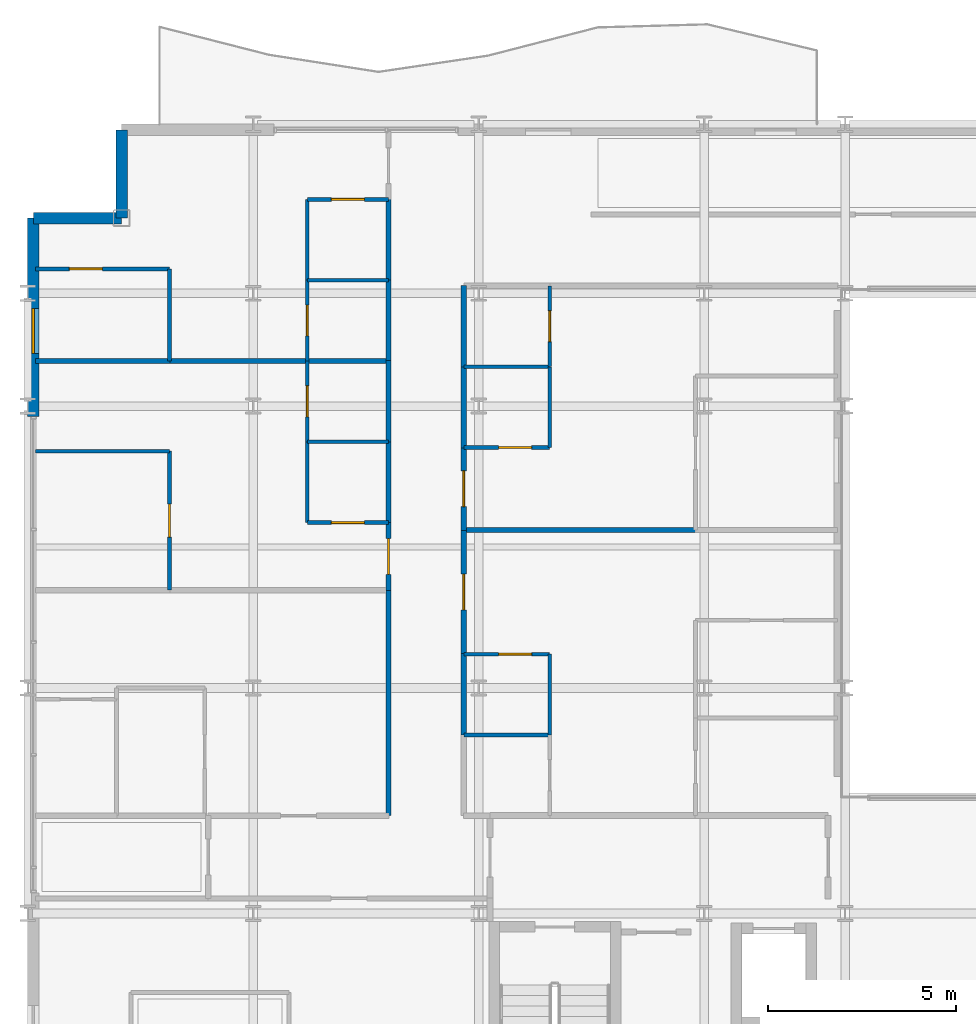
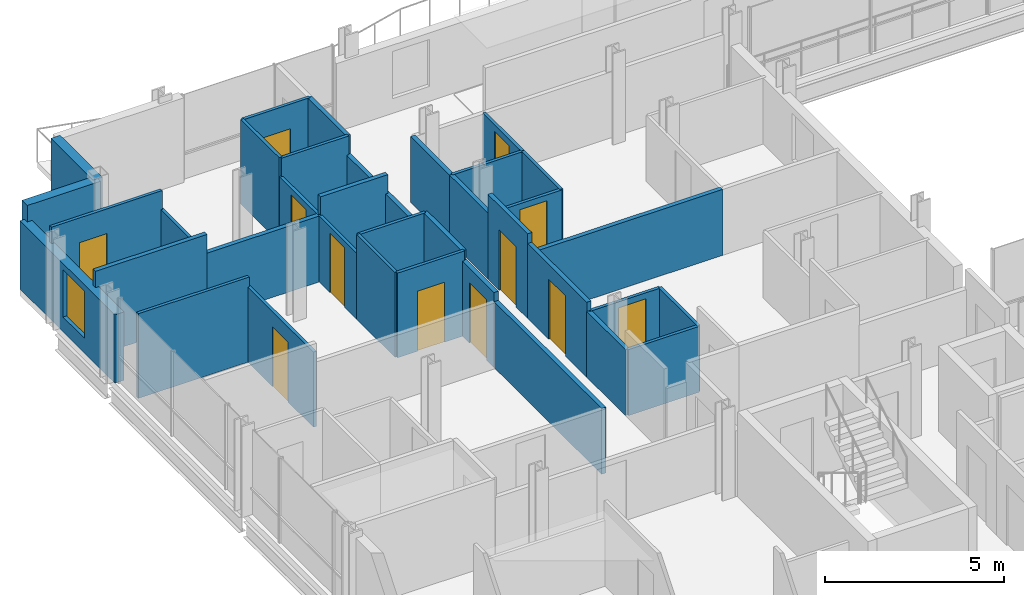
# One storey, part 33 of 41: 37 walls, 12 doors, 1 window, 13 openings.
"""IFC4 building model written with IfcOpenShell, lengths in metres."""

from ifc_helpers import new_model, si_unit, direction, frame, frame_2d, origin, place, context, subcontext, project, spatial, rectangle, extrude, material, layer, layer_set, type_object, element, fill, save


model = new_model("IFC4")

# Units and contexts
model_context = context("Model", 3, precision=1e-05, world=origin(), true_north=direction((0.0, 1.0)))
body_context = subcontext(model_context, "Body", "Model", "MODEL_VIEW")
ifc_project = project(units=[si_unit("LENGTHUNIT", "METRE"), si_unit("AREAUNIT", "SQUARE_METRE"), si_unit("VOLUMEUNIT", "CUBIC_METRE"), si_unit("PLANEANGLEUNIT", "RADIAN"), si_unit("MASSUNIT", "GRAM", prefix="KILO")], contexts=[model_context])

# Site, building, storey
site_placement = place(None, origin())
site = spatial("IfcSite", under=ifc_project, at=site_placement, CompositionType="ELEMENT")
building_placement = place(site_placement, origin())
building = spatial("IfcBuilding", under=site, at=building_placement, Name="Brevholm Reach", CompositionType="ELEMENT")
storey_placement = place(building_placement, frame((0.0, 0.0, 106.60009765625)))
storey = spatial("IfcBuildingStorey", under=building, at=storey_placement, Name="L31", CompositionType="ELEMENT", Elevation=106.60009765625)

# Walls
ifc_material_1 = material(Name="Concrete C40/50", Category="concrete")
ifc_layer_1 = layer(ifc_material_1, 0.300048828125)
ifc_layer_set_1 = layer_set([ifc_layer_1], Name="Concrete C40/50")
wall_type_1 = type_object("IfcWallType", Name="WAL-EXT-300", PredefinedType="STANDARD", material=ifc_layer_set_1)
for number, where, z_axis, x_axis, name in (
    (1, (2.5, 30.85009765625, 0.0), (0.0, 0.0, 1.0), (0.0, -1.0, 0.0), "L31 Facade Wall WAL-L31-CNW1"),
    (2, (2.5, 28.5, 0.0), (0.0, 0.0, 1.0), (-1.0, 0.0, 0.0), "L31 Facade Wall WAL-L31-CNW2"),
):
    element("IfcWall", number, at=place(storey_placement, frame(where, z_axis=z_axis, x_axis=x_axis)), inside=storey, type_object=wall_type_1, Name=name, PredefinedType="STANDARD", context=body_context, shape_type="SweptSolid", body=[
        extrude(rectangle(XDim=2.35009765625, YDim=0.300048828125, at=frame_2d((1.175048828125, 0.0))), origin(), (0.0, 0.0, 1.0), 2.8798828125),
    ])

# Wall, opening, window
wall_1_placement = place(storey_placement, frame((0.14990234375, 28.5, 0.0), z_axis=(0.0, 0.0, 1.0), x_axis=(0.0, -1.0, 0.0)))
wall_1 = element("IfcWall", 3, at=wall_1_placement, inside=storey, type_object=wall_type_1, Name="L31 Facade Wall WAL-L31-W-N", PredefinedType="STANDARD", context=body_context, shape_type="SweptSolid", body=[
    extrude(rectangle(XDim=5.280029296875, YDim=0.300048828125, at=frame_2d((2.64013671875, 0.0))), origin(), (0.0, 0.0, 1.0), 2.32177734375),
])
opening_1_placement = place(wall_1_placement, frame((2.39990234375, 0.0, 0.501953125)))
opening_1 = element("IfcOpeningElement", 4, at=opening_1_placement, cuts=wall_1, Name="Opening WN-08", PredefinedType="OPENING", context=body_context, shape_type="SweptSolid", body=[
    extrude(rectangle(XDim=1.199951171875, YDim=1.60009765625, at=frame_2d((0.60009765625, 0.800048828125))), frame((0.0, 0.159912109375, 0.0), z_axis=(0.0, -1.0, 0.0), x_axis=(1.0, 0.0, 0.0)), (0.0, 0.0, 1.0), 0.320068359375),
])
ifc_material_2 = material(Name="Dark Anodised Aluminium and Solar-Control IGU Glass", Category="aluminium")
window_type = type_object("IfcWindowType", Name="WIN-RES-1200", PartitioningType="SINGLE_PANEL", PredefinedType="WINDOW", material=ifc_material_2)
window_placement = place(opening_1_placement, origin())
window = element("IfcWindow", 5, at=window_placement, inside=storey, type_object=window_type, Name="L31 Window WIN-L31-WN-1", OverallHeight=1.60009765625, OverallWidth=1.199951171875, PartitioningType="SINGLE_PANEL", PredefinedType="WINDOW", context=body_context, shape_type="SweptSolid", body=[
    extrude(rectangle(XDim=1.199951171875, YDim=1.60009765625, at=frame_2d((0.60009765625, 0.800048828125))), frame((0.0, 0.030029296875, 0.0), z_axis=(0.0, -1.0, 0.0), x_axis=(1.0, 0.0, 0.0)), (0.0, 0.0, 1.0), 0.06005859375),
])
fill(opening_1, window)

# Wall
ifc_material_3 = material(Name="Moisture-Resistant Acoustic Gypsum Stud Partition 100 mm", Category="gypsum")
ifc_layer_2 = layer(ifc_material_3, 0.10009765625)
ifc_layer_set_2 = layer_set([ifc_layer_2], Name="Moisture-Resistant Acoustic Gypsum Stud Partition 100 mm")
wall_type_2 = type_object("IfcWallType", Name="WAL-PRT-100", PredefinedType="PARTITIONING", material=ifc_layer_set_2)
wall_2_placement = place(storey_placement, frame((7.43798828125, 22.550048828125, 0.0), z_axis=(0.0, 0.0, 1.0), x_axis=(1.0, 0.0, 0.0)))
element("IfcWall", 6, at=wall_2_placement, inside=storey, type_object=wall_type_2, Name="L31 Internal Partition 098", PredefinedType="PARTITIONING", context=body_context, shape_type="SweptSolid", body=[
    extrude(rectangle(XDim=2.157958984375, YDim=0.10009765625, at=frame_2d((1.0791015625, 0.0))), origin(), (0.0, 0.0, 1.0), 2.8798828125),
])

# Wall, opening, door
wall_3_placement = place(storey_placement, frame((7.43798828125, 22.550048828125, 0.0), z_axis=(0.0, 0.0, 1.0), x_axis=(0.0, 1.0, 0.0)))
wall_3 = element("IfcWall", 7, at=wall_3_placement, inside=storey, type_object=wall_type_2, Name="L31 Internal Partition 099", PredefinedType="PARTITIONING", context=body_context, shape_type="SweptSolid", body=[
    extrude(rectangle(XDim=2.14990234375, YDim=0.10009765625, at=frame_2d((1.074951171875, 0.0))), origin(), (0.0, 0.0, 1.0), 2.24267578125),
])
opening_2_placement = place(wall_3_placement, frame((0.6650390625, 0.0, 0.0)))
opening_2 = element("IfcOpeningElement", 8, at=opening_2_placement, cuts=wall_3, Name="Opening ID-03", PredefinedType="OPENING", context=body_context, shape_type="SweptSolid", body=[
    extrude(rectangle(XDim=0.820068359375, YDim=2.02001953125, at=frame_2d((0.41015625, 1.010009765625))), frame((0.0, 0.06005859375, 0.0), z_axis=(0.0, -1.0, 0.0), x_axis=(1.0, 0.0, 0.0)), (0.0, 0.0, 1.0), 0.1201171875),
])
ifc_material_4 = material(Name="Moisture-Resistant Painted Timber Internal Bathroom Door", Category="wood")
door_type_1 = type_object("IfcDoorType", Name="DOR-BATH-820", OperationType="NOTDEFINED", PredefinedType="DOOR", material=ifc_material_4)
door_1_placement = place(opening_2_placement, origin())
door_1 = element("IfcDoor", 9, at=door_1_placement, inside=storey, type_object=door_type_1, Name="L31 Internal Door 037", OperationType="SINGLE_SWING_RIGHT", OverallHeight=2.02001953125, OverallWidth=0.820068359375, PredefinedType="DOOR", context=body_context, shape_type="SweptSolid", body=[
    extrude(rectangle(XDim=0.820068359375, YDim=2.02001953125, at=frame_2d((0.41015625, 1.010009765625))), frame((0.0, 0.02490234375, 0.0), z_axis=(0.0, -1.0, 0.0), x_axis=(1.0, 0.0, 0.0)), (0.0, 0.0, 1.0), 0.050048828125),
])
fill(opening_2, door_1)

wall_4_placement = place(storey_placement, frame((7.43798828125, 20.39990234375, 0.0), z_axis=(0.0, 0.0, 1.0), x_axis=(1.0, 0.0, 0.0)))
wall_4 = element("IfcWall", 10, at=wall_4_placement, inside=storey, type_object=wall_type_2, Name="L31 Internal Partition 101", PredefinedType="PARTITIONING", context=body_context, shape_type="SweptSolid", body=[
    extrude(rectangle(XDim=2.157958984375, YDim=0.10009765625, at=frame_2d((1.0791015625, 0.0))), origin(), (0.0, 0.0, 1.0), 2.8798828125),
])
opening_3_placement = place(wall_4_placement, frame((0.638916015625, 0.0, 0.0)))
opening_3 = element("IfcOpeningElement", 11, at=opening_3_placement, cuts=wall_4, Name="Opening ID-01", PredefinedType="OPENING", context=body_context, shape_type="SweptSolid", body=[
    extrude(rectangle(XDim=0.8798828125, YDim=2.0400390625, at=frame_2d((0.43994140625, 1.02001953125))), frame((0.0, 0.06005859375, 0.0), z_axis=(0.0, -1.0, 0.0), x_axis=(1.0, 0.0, 0.0)), (0.0, 0.0, 1.0), 0.1201171875),
])
ifc_material_5 = material(Name="Lacquered Ash Solid-Core Acoustic Internal Door", Category="timber")
door_type_2 = type_object("IfcDoorType", Name="DOR-INT-880", OperationType="NOTDEFINED", PredefinedType="DOOR", material=ifc_material_5)
door_2_placement = place(opening_3_placement, origin())
door_2 = element("IfcDoor", 12, at=door_2_placement, inside=storey, type_object=door_type_2, Name="L31 Internal Door 038", OperationType="SINGLE_SWING_LEFT", OverallHeight=2.0400390625, OverallWidth=0.8798828125, PredefinedType="DOOR", context=body_context, shape_type="SweptSolid", body=[
    extrude(rectangle(XDim=0.8798828125, YDim=2.0400390625, at=frame_2d((0.43994140625, 1.02001953125))), frame((0.0, 0.02490234375, 0.0), z_axis=(0.0, -1.0, 0.0), x_axis=(1.0, 0.0, 0.0)), (0.0, 0.0, 1.0), 0.050048828125),
])
fill(opening_3, door_2)

# Wall
wall_5_placement = place(storey_placement, frame((7.43798828125, 20.39990234375, 0.0), z_axis=(0.0, 0.0, 1.0), x_axis=(0.0, 1.0, 0.0)))
element("IfcWall", 13, at=wall_5_placement, inside=storey, type_object=wall_type_2, Name="L31 Internal Partition 102", PredefinedType="PARTITIONING", context=body_context, shape_type="SweptSolid", body=[
    extrude(rectangle(XDim=2.14599609375, YDim=0.10009765625, at=frame_2d((1.072998046875, 0.0))), origin(), (0.0, 0.0, 1.0), 2.8798828125),
])

# Wall, opening, door
wall_6_placement = place(storey_placement, frame((3.77197265625, 18.60400390625, 0.0), z_axis=(0.0, 0.0, 1.0), x_axis=(0.0, 1.0, 0.0)))
wall_6 = element("IfcWall", 14, at=wall_6_placement, inside=storey, type_object=wall_type_2, Name="L31 Internal Partition 103", PredefinedType="PARTITIONING", context=body_context, shape_type="SweptSolid", body=[
    extrude(rectangle(XDim=3.696044921875, YDim=0.10009765625, at=frame_2d((1.84814453125, 0.0))), origin(), (0.0, 0.0, 1.0), 2.551513671875),
])
opening_4_placement = place(wall_6_placement, frame((1.407958984375, 0.0, 0.0)))
opening_4 = element("IfcOpeningElement", 15, at=opening_4_placement, cuts=wall_6, Name="Opening ID-01", PredefinedType="OPENING", context=body_context, shape_type="SweptSolid", body=[
    extrude(rectangle(XDim=0.8798828125, YDim=2.0400390625, at=frame_2d((0.43994140625, 1.02001953125))), frame((0.0, 0.06005859375, 0.0), z_axis=(0.0, -1.0, 0.0), x_axis=(1.0, 0.0, 0.0)), (0.0, 0.0, 1.0), 0.1201171875),
])
door_3_placement = place(opening_4_placement, origin())
door_3 = element("IfcDoor", 16, at=door_3_placement, inside=storey, type_object=door_type_2, Name="L31 Internal Door 039", OperationType="SINGLE_SWING_RIGHT", OverallHeight=2.0400390625, OverallWidth=0.8798828125, PredefinedType="DOOR", context=body_context, shape_type="SweptSolid", body=[
    extrude(rectangle(XDim=0.8798828125, YDim=2.0400390625, at=frame_2d((0.43994140625, 1.02001953125))), frame((0.0, 0.02490234375, 0.0), z_axis=(0.0, -1.0, 0.0), x_axis=(1.0, 0.0, 0.0)), (0.0, 0.0, 1.0), 0.050048828125),
])
fill(opening_4, door_3)

# Walls
wall_7_placement = place(storey_placement, frame((0.199951171875, 22.300048828125, 0.0), z_axis=(0.0, 0.0, 1.0), x_axis=(1.0, 0.0, 0.0)))
element("IfcWall", 17, at=wall_7_placement, inside=storey, type_object=wall_type_2, Name="L31 Internal Partition 104", PredefinedType="PARTITIONING", context=body_context, shape_type="SweptSolid", body=[
    extrude(rectangle(XDim=3.572021484375, YDim=0.10009765625, at=frame_2d((1.7861328125, 0.0))), origin(), (0.0, 0.0, 1.0), 2.8798828125),
])
wall_8_placement = place(storey_placement, frame((7.43798828125, 26.85009765625, 0.0), z_axis=(0.0, 0.0, 1.0), x_axis=(1.0, 0.0, 0.0)))
element("IfcWall", 18, at=wall_8_placement, inside=storey, type_object=wall_type_2, Name="L31 Internal Partition 107", PredefinedType="PARTITIONING", context=body_context, shape_type="SweptSolid", body=[
    extrude(rectangle(XDim=2.157958984375, YDim=0.10009765625, at=frame_2d((1.0791015625, 0.0))), origin(), (0.0, 0.0, 1.0), 2.8798828125),
])

# Wall, opening, door
wall_9_placement = place(storey_placement, frame((7.43798828125, 24.7041015625, 0.0), z_axis=(0.0, 0.0, 1.0), x_axis=(0.0, 1.0, 0.0)))
wall_9 = element("IfcWall", 19, at=wall_9_placement, inside=storey, type_object=wall_type_2, Name="L31 Internal Partition 108", PredefinedType="PARTITIONING", context=body_context, shape_type="SweptSolid", body=[
    extrude(rectangle(XDim=2.14599609375, YDim=0.10009765625, at=frame_2d((1.072998046875, 0.0))), origin(), (0.0, 0.0, 1.0), 2.24267578125),
])
opening_5_placement = place(wall_9_placement, frame((0.6630859375, 0.0, 0.0)))
opening_5 = element("IfcOpeningElement", 20, at=opening_5_placement, cuts=wall_9, Name="Opening ID-03", PredefinedType="OPENING", context=body_context, shape_type="SweptSolid", body=[
    extrude(rectangle(XDim=0.820068359375, YDim=2.02001953125, at=frame_2d((0.41015625, 1.010009765625))), frame((0.0, 0.06005859375, 0.0), z_axis=(0.0, -1.0, 0.0), x_axis=(1.0, 0.0, 0.0)), (0.0, 0.0, 1.0), 0.1201171875),
])
door_4_placement = place(opening_5_placement, origin())
door_4 = element("IfcDoor", 21, at=door_4_placement, inside=storey, type_object=door_type_1, Name="L31 Internal Door 040", OperationType="SINGLE_SWING_LEFT", OverallHeight=2.02001953125, OverallWidth=0.820068359375, PredefinedType="DOOR", context=body_context, shape_type="SweptSolid", body=[
    extrude(rectangle(XDim=0.820068359375, YDim=2.02001953125, at=frame_2d((0.41015625, 1.010009765625))), frame((0.0, 0.02490234375, 0.0), z_axis=(0.0, -1.0, 0.0), x_axis=(1.0, 0.0, 0.0)), (0.0, 0.0, 1.0), 0.050048828125),
])
fill(opening_5, door_4)

wall_10_placement = place(storey_placement, frame((7.43798828125, 29.0, 0.0), z_axis=(0.0, 0.0, 1.0), x_axis=(1.0, 0.0, 0.0)))
wall_10 = element("IfcWall", 22, at=wall_10_placement, inside=storey, type_object=wall_type_2, Name="L31 Internal Partition 109", PredefinedType="PARTITIONING", context=body_context, shape_type="SweptSolid", body=[
    extrude(rectangle(XDim=2.157958984375, YDim=0.10009765625, at=frame_2d((1.0791015625, 0.0))), origin(), (0.0, 0.0, 1.0), 2.8798828125),
])
opening_6_placement = place(wall_10_placement, frame((0.638916015625, 0.0, 0.0)))
opening_6 = element("IfcOpeningElement", 23, at=opening_6_placement, cuts=wall_10, Name="Opening ID-01", PredefinedType="OPENING", context=body_context, shape_type="SweptSolid", body=[
    extrude(rectangle(XDim=0.8798828125, YDim=2.0400390625, at=frame_2d((0.43994140625, 1.02001953125))), frame((0.0, 0.06005859375, 0.0), z_axis=(0.0, -1.0, 0.0), x_axis=(1.0, 0.0, 0.0)), (0.0, 0.0, 1.0), 0.1201171875),
])
door_5_placement = place(opening_6_placement, origin())
door_5 = element("IfcDoor", 24, at=door_5_placement, inside=storey, type_object=door_type_2, Name="L31 Internal Door 041", OperationType="SINGLE_SWING_RIGHT", OverallHeight=2.0400390625, OverallWidth=0.8798828125, PredefinedType="DOOR", context=body_context, shape_type="SweptSolid", body=[
    extrude(rectangle(XDim=0.8798828125, YDim=2.0400390625, at=frame_2d((0.43994140625, 1.02001953125))), frame((0.0, 0.02490234375, 0.0), z_axis=(0.0, -1.0, 0.0), x_axis=(1.0, 0.0, 0.0)), (0.0, 0.0, 1.0), 0.050048828125),
])
fill(opening_6, door_5)

# Walls
wall_11_placement = place(storey_placement, frame((7.43798828125, 26.85400390625, 0.0), z_axis=(0.0, 0.0, 1.0), x_axis=(0.0, 1.0, 0.0)))
element("IfcWall", 25, at=wall_11_placement, inside=storey, type_object=wall_type_2, Name="L31 Internal Partition 110", PredefinedType="PARTITIONING", context=body_context, shape_type="SweptSolid", body=[
    extrude(rectangle(XDim=2.14599609375, YDim=0.10009765625, at=frame_2d((1.072998046875, 0.0))), origin(), (0.0, 0.0, 1.0), 2.8798828125),
])
wall_12_placement = place(storey_placement, frame((3.77197265625, 24.7041015625, 0.0), z_axis=(0.0, 0.0, 1.0), x_axis=(0.0, 1.0, 0.0)))
element("IfcWall", 26, at=wall_12_placement, inside=storey, type_object=wall_type_2, Name="L31 Internal Partition 111", PredefinedType="PARTITIONING", context=body_context, shape_type="SweptSolid", body=[
    extrude(rectangle(XDim=2.44580078125, YDim=0.10009765625, at=frame_2d((1.222900390625, 0.0))), origin(), (0.0, 0.0, 1.0), 2.24267578125),
])

# Wall, opening, door
wall_13_placement = place(storey_placement, frame((0.199951171875, 27.14990234375, 0.0), z_axis=(0.0, 0.0, 1.0), x_axis=(1.0, 0.0, 0.0)))
wall_13 = element("IfcWall", 27, at=wall_13_placement, inside=storey, type_object=wall_type_2, Name="L31 Internal Partition 112", PredefinedType="PARTITIONING", context=body_context, shape_type="SweptSolid", body=[
    extrude(rectangle(XDim=3.572021484375, YDim=0.10009765625, at=frame_2d((1.7861328125, 0.0))), origin(), (0.0, 0.0, 1.0), 2.8798828125),
])
opening_7_placement = place(wall_13_placement, frame((0.906005859375, 0.0, 0.0)))
opening_7 = element("IfcOpeningElement", 28, at=opening_7_placement, cuts=wall_13, Name="Opening ID-01", PredefinedType="OPENING", context=body_context, shape_type="SweptSolid", body=[
    extrude(rectangle(XDim=0.8798828125, YDim=2.0400390625, at=frame_2d((0.43994140625, 1.02001953125))), frame((0.0, 0.06005859375, 0.0), z_axis=(0.0, -1.0, 0.0), x_axis=(1.0, 0.0, 0.0)), (0.0, 0.0, 1.0), 0.1201171875),
])
door_6_placement = place(opening_7_placement, origin())
door_6 = element("IfcDoor", 29, at=door_6_placement, inside=storey, type_object=door_type_2, Name="L31 Internal Door 042", OperationType="SINGLE_SWING_LEFT", OverallHeight=2.0400390625, OverallWidth=0.8798828125, PredefinedType="DOOR", context=body_context, shape_type="SweptSolid", body=[
    extrude(rectangle(XDim=0.8798828125, YDim=2.0400390625, at=frame_2d((0.43994140625, 1.02001953125))), frame((0.0, 0.02490234375, 0.0), z_axis=(0.0, -1.0, 0.0), x_axis=(1.0, 0.0, 0.0)), (0.0, 0.0, 1.0), 0.050048828125),
])
fill(opening_7, door_6)

# Walls
wall_14_placement = place(storey_placement, frame((11.60400390625, 14.75, 0.0), z_axis=(0.0, 0.0, 1.0), x_axis=(1.0, 0.0, 0.0)))
element("IfcWall", 30, at=wall_14_placement, inside=storey, type_object=wall_type_2, Name="L31 Internal Partition 113", PredefinedType="PARTITIONING", context=body_context, shape_type="SweptSolid", body=[
    extrude(rectangle(XDim=2.284912109375, YDim=0.10009765625, at=frame_2d((1.142578125, 0.0))), origin(), (0.0, 0.0, 1.0), 2.24267578125),
])
wall_15_placement = place(storey_placement, frame((13.888916015625, 14.75390625, 0.0), z_axis=(0.0, 0.0, 1.0), x_axis=(0.0, 1.0, 0.0)))
element("IfcWall", 31, at=wall_15_placement, inside=storey, type_object=wall_type_2, Name="L31 Internal Partition 115", PredefinedType="PARTITIONING", context=body_context, shape_type="SweptSolid", body=[
    extrude(rectangle(XDim=2.14599609375, YDim=0.10009765625, at=frame_2d((1.072998046875, 0.0))), origin(), (0.0, 0.0, 1.0), 2.24267578125),
])

# Wall, opening, door
wall_16_placement = place(storey_placement, frame((11.60400390625, 16.89990234375, 0.0), z_axis=(0.0, 0.0, 1.0), x_axis=(1.0, 0.0, 0.0)))
wall_16 = element("IfcWall", 32, at=wall_16_placement, inside=storey, type_object=wall_type_2, Name="L31 Internal Partition 116", PredefinedType="PARTITIONING", context=body_context, shape_type="SweptSolid", body=[
    extrude(rectangle(XDim=2.284912109375, YDim=0.10009765625, at=frame_2d((1.142578125, 0.0))), origin(), (0.0, 0.0, 1.0), 2.24267578125),
])
opening_8_placement = place(wall_16_placement, frame((0.922607421875, 0.0, 0.0)))
opening_8 = element("IfcOpeningElement", 33, at=opening_8_placement, cuts=wall_16, Name="Opening ID-01", PredefinedType="OPENING", context=body_context, shape_type="SweptSolid", body=[
    extrude(rectangle(XDim=0.8798828125, YDim=2.0400390625, at=frame_2d((0.43994140625, 1.02001953125))), frame((0.0, 0.06005859375, 0.0), z_axis=(0.0, -1.0, 0.0), x_axis=(1.0, 0.0, 0.0)), (0.0, 0.0, 1.0), 0.1201171875),
])
door_7_placement = place(opening_8_placement, origin())
door_7 = element("IfcDoor", 34, at=door_7_placement, inside=storey, type_object=door_type_2, Name="L31 Internal Door 044", OperationType="SINGLE_SWING_LEFT", OverallHeight=2.0400390625, OverallWidth=0.8798828125, PredefinedType="DOOR", context=body_context, shape_type="SweptSolid", body=[
    extrude(rectangle(XDim=0.8798828125, YDim=2.0400390625, at=frame_2d((0.43994140625, 1.02001953125))), frame((0.0, 0.02490234375, 0.0), z_axis=(0.0, -1.0, 0.0), x_axis=(1.0, 0.0, 0.0)), (0.0, 0.0, 1.0), 0.050048828125),
])
fill(opening_8, door_7)

# Wall
wall_17_placement = place(storey_placement, frame((11.60400390625, 24.550048828125, 0.0), z_axis=(0.0, 0.0, 1.0), x_axis=(1.0, 0.0, 0.0)))
element("IfcWall", 35, at=wall_17_placement, inside=storey, type_object=wall_type_2, Name="L31 Internal Partition 123", PredefinedType="PARTITIONING", context=body_context, shape_type="SweptSolid", body=[
    extrude(rectangle(XDim=2.284912109375, YDim=0.10009765625, at=frame_2d((1.142578125, 0.0))), origin(), (0.0, 0.0, 1.0), 2.24267578125),
])

# Wall, opening, door
wall_18_placement = place(storey_placement, frame((13.888916015625, 24.550048828125, 0.0), z_axis=(0.0, 0.0, 1.0), x_axis=(0.0, 1.0, 0.0)))
wall_18 = element("IfcWall", 36, at=wall_18_placement, inside=storey, type_object=wall_type_2, Name="L31 Internal Partition 124", PredefinedType="PARTITIONING", context=body_context, shape_type="SweptSolid", body=[
    extrude(rectangle(XDim=2.14599609375, YDim=0.10009765625, at=frame_2d((1.072998046875, 0.0))), origin(), (0.0, 0.0, 1.0), 2.24267578125),
])
opening_9_placement = place(wall_18_placement, frame((0.6630859375, 0.0, 0.0)))
opening_9 = element("IfcOpeningElement", 37, at=opening_9_placement, cuts=wall_18, Name="Opening ID-03", PredefinedType="OPENING", context=body_context, shape_type="SweptSolid", body=[
    extrude(rectangle(XDim=0.820068359375, YDim=2.02001953125, at=frame_2d((0.41015625, 1.010009765625))), frame((0.0, 0.06005859375, 0.0), z_axis=(0.0, -1.0, 0.0), x_axis=(1.0, 0.0, 0.0)), (0.0, 0.0, 1.0), 0.1201171875),
])
door_8_placement = place(opening_9_placement, origin())
door_8 = element("IfcDoor", 38, at=door_8_placement, inside=storey, type_object=door_type_1, Name="L31 Internal Door 047", OperationType="SINGLE_SWING_RIGHT", OverallHeight=2.02001953125, OverallWidth=0.820068359375, PredefinedType="DOOR", context=body_context, shape_type="SweptSolid", body=[
    extrude(rectangle(XDim=0.820068359375, YDim=2.02001953125, at=frame_2d((0.41015625, 1.010009765625))), frame((0.0, 0.02490234375, 0.0), z_axis=(0.0, -1.0, 0.0), x_axis=(1.0, 0.0, 0.0)), (0.0, 0.0, 1.0), 0.050048828125),
])
fill(opening_9, door_8)

wall_19_placement = place(storey_placement, frame((11.60400390625, 22.39990234375, 0.0), z_axis=(0.0, 0.0, 1.0), x_axis=(1.0, 0.0, 0.0)))
wall_19 = element("IfcWall", 39, at=wall_19_placement, inside=storey, type_object=wall_type_2, Name="L31 Internal Partition 125", PredefinedType="PARTITIONING", context=body_context, shape_type="SweptSolid", body=[
    extrude(rectangle(XDim=2.284912109375, YDim=0.10009765625, at=frame_2d((1.142578125, 0.0))), origin(), (0.0, 0.0, 1.0), 2.24267578125),
])
opening_10_placement = place(wall_19_placement, frame((0.922607421875, 0.0, 0.0)))
opening_10 = element("IfcOpeningElement", 40, at=opening_10_placement, cuts=wall_19, Name="Opening ID-01", PredefinedType="OPENING", context=body_context, shape_type="SweptSolid", body=[
    extrude(rectangle(XDim=0.8798828125, YDim=2.0400390625, at=frame_2d((0.43994140625, 1.02001953125))), frame((0.0, 0.06005859375, 0.0), z_axis=(0.0, -1.0, 0.0), x_axis=(1.0, 0.0, 0.0)), (0.0, 0.0, 1.0), 0.1201171875),
])
door_9_placement = place(opening_10_placement, origin())
door_9 = element("IfcDoor", 41, at=door_9_placement, inside=storey, type_object=door_type_2, Name="L31 Internal Door 048", OperationType="SINGLE_SWING_LEFT", OverallHeight=2.0400390625, OverallWidth=0.8798828125, PredefinedType="DOOR", context=body_context, shape_type="SweptSolid", body=[
    extrude(rectangle(XDim=0.8798828125, YDim=2.0400390625, at=frame_2d((0.43994140625, 1.02001953125))), frame((0.0, 0.02490234375, 0.0), z_axis=(0.0, -1.0, 0.0), x_axis=(1.0, 0.0, 0.0)), (0.0, 0.0, 1.0), 0.050048828125),
])
fill(opening_10, door_9)

# Walls
wall_20_placement = place(storey_placement, frame((13.888916015625, 22.39990234375, 0.0), z_axis=(0.0, 0.0, 1.0), x_axis=(0.0, 1.0, 0.0)))
element("IfcWall", 42, at=wall_20_placement, inside=storey, type_object=wall_type_2, Name="L31 Internal Partition 126", PredefinedType="PARTITIONING", context=body_context, shape_type="SweptSolid", body=[
    extrude(rectangle(XDim=2.14599609375, YDim=0.10009765625, at=frame_2d((1.072998046875, 0.0))), origin(), (0.0, 0.0, 1.0), 2.24267578125),
])
ifc_material_6 = material(Name="Twin-Stud Acoustic Fire-Rated Gypsum Partition 140 mm", Category="gypsum")
ifc_layer_3 = layer(ifc_material_6, 0.139892578125)
ifc_layer_set_3 = layer_set([ifc_layer_3], Name="Twin-Stud Acoustic Fire-Rated Gypsum Partition 140 mm")
wall_type_3 = type_object("IfcWallType", Name="WAL-PRT-140", PredefinedType="PARTITIONING", material=ifc_layer_set_3)
wall_21_placement = place(storey_placement, frame((9.60009765625, 12.60400390625, 0.0), z_axis=(0.0, 0.0, 1.0), x_axis=(0.0, 1.0, 0.0)))
element("IfcWall", 43, at=wall_21_placement, inside=storey, type_object=wall_type_3, Name="L31 Internal Partition 035", PredefinedType="PARTITIONING", context=body_context, shape_type="SweptSolid", body=[
    extrude(rectangle(XDim=6.00732421875, YDim=0.139892578125, at=frame_2d((3.003662109375, 0.0))), origin(), (0.0, 0.0, 1.0), 2.24267578125),
])
wall_22_placement = place(storey_placement, frame((9.60009765625, 22.538818359375, 0.0), z_axis=(0.0, 0.0, 1.0), x_axis=(0.0, 1.0, 0.0)))
element("IfcWall", 44, at=wall_22_placement, inside=storey, type_object=wall_type_3, Name="L31 Internal Partition 036", PredefinedType="PARTITIONING", context=body_context, shape_type="SweptSolid", body=[
    extrude(rectangle(XDim=2.17236328125, YDim=0.139892578125, at=frame_2d((1.086181640625, 0.0))), origin(), (0.0, 0.0, 1.0), 2.24267578125),
])
wall_23_placement = place(storey_placement, frame((9.60009765625, 20.388671875, 0.0), z_axis=(0.0, 0.0, 1.0), x_axis=(0.0, 1.0, 0.0)))
element("IfcWall", 45, at=wall_23_placement, inside=storey, type_object=wall_type_3, Name="L31 Internal Partition 037", PredefinedType="PARTITIONING", context=body_context, shape_type="SweptSolid", body=[
    extrude(rectangle(XDim=2.168701171875, YDim=0.139892578125, at=frame_2d((1.08447265625, 0.0))), origin(), (0.0, 0.0, 1.0), 2.8798828125),
])

# Wall, opening, door
wall_24_placement = place(storey_placement, frame((9.60009765625, 18.5927734375, 0.0), z_axis=(0.0, 0.0, 1.0), x_axis=(0.0, 1.0, 0.0)))
wall_24 = element("IfcWall", 46, at=wall_24_placement, inside=storey, type_object=wall_type_3, Name="L31 Internal Partition 038", PredefinedType="PARTITIONING", context=body_context, shape_type="SweptSolid", body=[
    extrude(rectangle(XDim=1.814453125, YDim=0.139892578125, at=frame_2d((0.9072265625, 0.0))), origin(), (0.0, 0.0, 1.0), 2.551513671875),
])
opening_11_placement = place(wall_24_placement, frame((0.432373046875, 0.0, 0.0)))
opening_11 = element("IfcOpeningElement", 47, at=opening_11_placement, cuts=wall_24, Name="Opening ID-30", PredefinedType="OPENING", context=body_context, shape_type="SweptSolid", body=[
    extrude(rectangle(XDim=0.949951171875, YDim=2.050048828125, at=frame_2d((0.47509765625, 1.02490234375))), frame((0.0, 0.079833984375, 0.0), z_axis=(0.0, -1.0, 0.0), x_axis=(1.0, 0.0, 0.0)), (0.0, 0.0, 1.0), 0.159912109375),
])
ifc_material_7 = material(Name="European Oak Veneered Solid-Core Fire Entrance Door", Category="timber")
door_type_3 = type_object("IfcDoorType", Name="DOR-FLT-FD30S", OperationType="NOTDEFINED", PredefinedType="DOOR", material=ifc_material_7)
door_10_placement = place(opening_11_placement, origin())
door_10 = element("IfcDoor", 48, at=door_10_placement, inside=storey, type_object=door_type_3, Name="L31 Internal Door 018", OperationType="SINGLE_SWING_LEFT", OverallHeight=2.050048828125, OverallWidth=0.949951171875, PredefinedType="DOOR", context=body_context, shape_type="SweptSolid", body=[
    extrude(rectangle(XDim=0.949951171875, YDim=2.050048828125, at=frame_2d((0.47509765625, 1.02490234375))), frame((0.0, 0.02490234375, 0.0), z_axis=(0.0, -1.0, 0.0), x_axis=(1.0, 0.0, 0.0)), (0.0, 0.0, 1.0), 0.050048828125),
])
fill(opening_11, door_10)

# Walls
wall_25_placement = place(storey_placement, frame((9.60009765625, 24.692626953125, 0.0), z_axis=(0.0, 0.0, 1.0), x_axis=(0.0, 1.0, 0.0)))
element("IfcWall", 49, at=wall_25_placement, inside=storey, type_object=wall_type_3, Name="L31 Internal Partition 039", PredefinedType="PARTITIONING", context=body_context, shape_type="SweptSolid", body=[
    extrude(rectangle(XDim=2.168701171875, YDim=0.139892578125, at=frame_2d((1.08447265625, 0.0))), origin(), (0.0, 0.0, 1.0), 2.24267578125),
])
wall_26_placement = place(storey_placement, frame((9.60009765625, 26.8427734375, 0.0), z_axis=(0.0, 0.0, 1.0), x_axis=(0.0, 1.0, 0.0)))
element("IfcWall", 50, at=wall_26_placement, inside=storey, type_object=wall_type_3, Name="L31 Internal Partition 040", PredefinedType="PARTITIONING", context=body_context, shape_type="SweptSolid", body=[
    extrude(rectangle(XDim=2.16845703125, YDim=0.139892578125, at=frame_2d((1.084228515625, 0.0))), origin(), (0.0, 0.0, 1.0), 2.8798828125),
])
wall_27_placement = place(storey_placement, frame((11.60009765625, 14.74267578125, 0.0), z_axis=(0.0, 0.0, 1.0), x_axis=(0.0, 1.0, 0.0)))
element("IfcWall", 51, at=wall_27_placement, inside=storey, type_object=wall_type_3, Name="L31 Internal Partition 043", PredefinedType="PARTITIONING", context=body_context, shape_type="SweptSolid", body=[
    extrude(rectangle(XDim=2.168701171875, YDim=0.139892578125, at=frame_2d((1.08447265625, 0.0))), origin(), (0.0, 0.0, 1.0), 2.24267578125),
])

# Wall, opening, door
wall_28_placement = place(storey_placement, frame((11.60009765625, 16.892578125, 0.0), z_axis=(0.0, 0.0, 1.0), x_axis=(0.0, 1.0, 0.0)))
wall_28 = element("IfcWall", 52, at=wall_28_placement, inside=storey, type_object=wall_type_3, Name="L31 Internal Partition 044", PredefinedType="PARTITIONING", context=body_context, shape_type="SweptSolid", body=[
    extrude(rectangle(XDim=3.318603515625, YDim=0.139892578125, at=frame_2d((1.6591796875, 0.0))), origin(), (0.0, 0.0, 1.0), 2.551513671875),
])
opening_12_placement = place(wall_28_placement, frame((1.184326171875, 0.0, 0.0)))
opening_12 = element("IfcOpeningElement", 53, at=opening_12_placement, cuts=wall_28, Name="Opening ID-30", PredefinedType="OPENING", context=body_context, shape_type="SweptSolid", body=[
    extrude(rectangle(XDim=0.949951171875, YDim=2.050048828125, at=frame_2d((0.47509765625, 1.02490234375))), frame((0.0, 0.079833984375, 0.0), z_axis=(0.0, -1.0, 0.0), x_axis=(1.0, 0.0, 0.0)), (0.0, 0.0, 1.0), 0.159912109375),
])
door_11_placement = place(opening_12_placement, origin())
door_11 = element("IfcDoor", 54, at=door_11_placement, inside=storey, type_object=door_type_3, Name="L31 Internal Door 020", OperationType="SINGLE_SWING_LEFT", OverallHeight=2.050048828125, OverallWidth=0.949951171875, PredefinedType="DOOR", context=body_context, shape_type="SweptSolid", body=[
    extrude(rectangle(XDim=0.949951171875, YDim=2.050048828125, at=frame_2d((0.47509765625, 1.02490234375))), frame((0.0, 0.02490234375, 0.0), z_axis=(0.0, -1.0, 0.0), x_axis=(1.0, 0.0, 0.0)), (0.0, 0.0, 1.0), 0.050048828125),
])
fill(opening_12, door_11)

# Walls
wall_29_placement = place(storey_placement, frame((11.60009765625, 24.538818359375, 0.0), z_axis=(0.0, 0.0, 1.0), x_axis=(0.0, 1.0, 0.0)))
element("IfcWall", 55, at=wall_29_placement, inside=storey, type_object=wall_type_3, Name="L31 Internal Partition 045", PredefinedType="PARTITIONING", context=body_context, shape_type="SweptSolid", body=[
    extrude(rectangle(XDim=2.16845703125, YDim=0.139892578125, at=frame_2d((1.084228515625, 0.0))), origin(), (0.0, 0.0, 1.0), 2.24267578125),
])
wall_30_placement = place(storey_placement, frame((11.60009765625, 22.388671875, 0.0), z_axis=(0.0, 0.0, 1.0), x_axis=(0.0, 1.0, 0.0)))
element("IfcWall", 56, at=wall_30_placement, inside=storey, type_object=wall_type_3, Name="L31 Internal Partition 046", PredefinedType="PARTITIONING", context=body_context, shape_type="SweptSolid", body=[
    extrude(rectangle(XDim=2.168701171875, YDim=0.139892578125, at=frame_2d((1.08447265625, 0.0))), origin(), (0.0, 0.0, 1.0), 2.24267578125),
])

# Wall, opening, door
wall_31_placement = place(storey_placement, frame((11.60009765625, 20.192626953125, 0.0), z_axis=(0.0, 0.0, 1.0), x_axis=(0.0, 1.0, 0.0)))
wall_31 = element("IfcWall", 57, at=wall_31_placement, inside=storey, type_object=wall_type_3, Name="L31 Internal Partition 047", PredefinedType="PARTITIONING", context=body_context, shape_type="SweptSolid", body=[
    extrude(rectangle(XDim=2.214599609375, YDim=0.139892578125, at=frame_2d((1.107421875, 0.0))), origin(), (0.0, 0.0, 1.0), 2.8798828125),
])
opening_13_placement = place(wall_31_placement, frame((0.63232421875, 0.0, 0.0)))
opening_13 = element("IfcOpeningElement", 58, at=opening_13_placement, cuts=wall_31, Name="Opening ID-30", PredefinedType="OPENING", context=body_context, shape_type="SweptSolid", body=[
    extrude(rectangle(XDim=0.949951171875, YDim=2.050048828125, at=frame_2d((0.47509765625, 1.02490234375))), frame((0.0, 0.079833984375, 0.0), z_axis=(0.0, -1.0, 0.0), x_axis=(1.0, 0.0, 0.0)), (0.0, 0.0, 1.0), 0.159912109375),
])
door_12_placement = place(opening_13_placement, origin())
door_12 = element("IfcDoor", 59, at=door_12_placement, inside=storey, type_object=door_type_3, Name="L31 Internal Door 021", OperationType="SINGLE_SWING_RIGHT", OverallHeight=2.050048828125, OverallWidth=0.949951171875, PredefinedType="DOOR", context=body_context, shape_type="SweptSolid", body=[
    extrude(rectangle(XDim=0.949951171875, YDim=2.050048828125, at=frame_2d((0.47509765625, 1.02490234375))), frame((0.0, 0.02490234375, 0.0), z_axis=(0.0, -1.0, 0.0), x_axis=(1.0, 0.0, 0.0)), (0.0, 0.0, 1.0), 0.050048828125),
])
fill(opening_13, door_12)

# Walls
wall_32_placement = place(storey_placement, frame((7.43798828125, 24.699951171875, 0.0), z_axis=(0.0, 0.0, 1.0), x_axis=(1.0, 0.0, 0.0)))
element("IfcWall", 60, at=wall_32_placement, inside=storey, type_object=wall_type_3, Name="L31 Internal Partition 100", PredefinedType="PARTITIONING", context=body_context, shape_type="SweptSolid", body=[
    extrude(rectangle(XDim=2.157958984375, YDim=0.139892578125, at=frame_2d((1.0791015625, 0.0))), origin(), (0.0, 0.0, 1.0), 2.8798828125),
])
wall_33_placement = place(storey_placement, frame((0.199951171875, 24.699951171875, 0.0), z_axis=(0.0, 0.0, 1.0), x_axis=(1.0, 0.0, 0.0)))
element("IfcWall", 61, at=wall_33_placement, inside=storey, type_object=wall_type_3, Name="L31 Internal Partition 105", PredefinedType="PARTITIONING", context=body_context, shape_type="SweptSolid", body=[
    extrude(rectangle(XDim=3.583251953125, YDim=0.139892578125, at=frame_2d((1.79150390625, 0.0))), origin(), (0.0, 0.0, 1.0), 2.8798828125),
])
wall_34_placement = place(storey_placement, frame((3.7646484375, 24.699951171875, 0.0), z_axis=(0.0, 0.0, 1.0), x_axis=(1.0, 0.0, 0.0)))
element("IfcWall", 62, at=wall_34_placement, inside=storey, type_object=wall_type_3, Name="L31 Internal Partition 106", PredefinedType="PARTITIONING", context=body_context, shape_type="SweptSolid", body=[
    extrude(rectangle(XDim=3.66943359375, YDim=0.139892578125, at=frame_2d((1.834716796875, 0.0))), origin(), (0.0, 0.0, 1.0), 2.24267578125),
])
wall_35_placement = place(storey_placement, frame((11.60400390625, 20.199951171875, 0.0), z_axis=(0.0, 0.0, 1.0), x_axis=(1.0, 0.0, 0.0)))
element("IfcWall", 63, at=wall_35_placement, inside=storey, type_object=wall_type_3, Name="L31 Internal Partition 122", PredefinedType="PARTITIONING", context=body_context, shape_type="SweptSolid", body=[
    extrude(rectangle(XDim=6.17236328125, YDim=0.139892578125, at=frame_2d((3.086181640625, 0.0))), origin(), (0.0, 0.0, 1.0), 2.24267578125),
])

save(model, "model.ifc")
